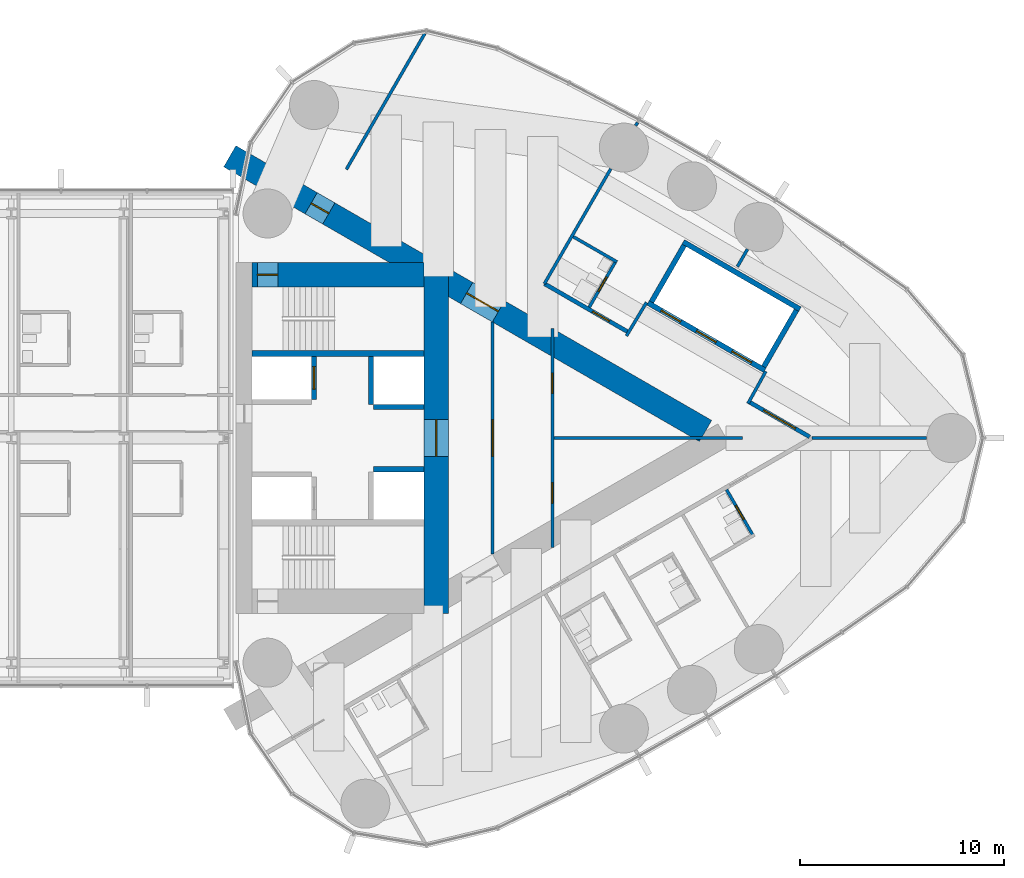
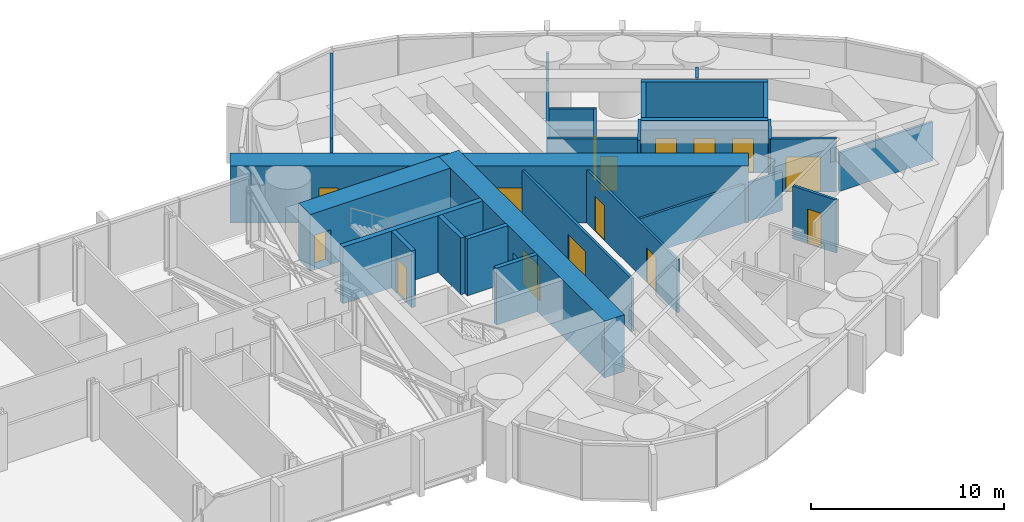
# One storey, part 20 of 23: 27 walls, 15 doors, 15 openings.
"""IFC4 building model written with IfcOpenShell, lengths in metres."""

import ifcopenshell
import ifcopenshell.guid

model = None  # the IFC model being written
_history = None  # IfcOwnerHistory: only IFC2X3 demands one
_inside = {}  # id of a spatial element -> (the spatial element, [elements in it])
_under = {}  # id of a project, library or spatial element -> (it, [spatial elements below it])
_declared = {}  # id of a project -> (the project, [libraries it declares])
_typed = {}  # id of a type object -> (the type object, [elements of that type])
_made_of = {}  # id of a material, layer set ... -> (it, [elements and type objects made of it])


def new_model(schema):
    """Start an empty IFC model of exactly this schema.

    Asked for "IFC4X3", IfcOpenShell would pick the latest addendum, in which some entities
    have other attributes; the version numbers below select the first issue.
    IFC2X3 requires an IfcOwnerHistory on every rooted entity: one is made here for all.
    """
    global model, _history
    if schema == "IFC4X3":
        model = ifcopenshell.file(schema_version=(4, 3, 0, 0))
    else:
        model = ifcopenshell.file(schema=schema)
    _inside.clear()
    _under.clear()
    _declared.clear()
    _typed.clear()
    _made_of.clear()
    _history = None
    if model.schema == "IFC2X3":
        org = make("IfcOrganization", Name="unknown")
        user = make(
            "IfcPersonAndOrganization",
            ThePerson=make("IfcPerson", FamilyName="unknown"),
            TheOrganization=org,
        )
        app = make(
            "IfcApplication",
            ApplicationDeveloper=org,
            Version="unknown",
            ApplicationFullName="unknown",
            ApplicationIdentifier="unknown",
        )
        _history = make(
            "IfcOwnerHistory",
            OwningUser=user,
            OwningApplication=app,
            ChangeAction="ADDED",
            CreationDate=0,
        )
    return model


def make(cls, **values):
    """One entity of the class cls with the attributes given. An attribute that is None is left unset."""
    return model.create_entity(
        cls, **{name: value for name, value in values.items() if value is not None}
    )


def rooted(cls, **values):
    """An entity with a GlobalId (a new one), such as an element, a storey or a relation."""
    return make(cls, GlobalId=ifcopenshell.guid.new(), OwnerHistory=_history, **values)


def si_unit(unit_type, name, prefix=None):
    """IfcSIUnit, for example si_unit("LENGTHUNIT", "METRE", prefix="MILLI")."""
    return make("IfcSIUnit", UnitType=unit_type, Prefix=prefix, Name=name)


def assignment(units):
    """IfcUnitAssignment: the units of a project."""
    return None if units is None else make("IfcUnitAssignment", Units=units)


def point(xyz):
    """IfcCartesianPoint."""
    return None if xyz is None else make("IfcCartesianPoint", Coordinates=xyz)


def direction(xyz):
    """IfcDirection."""
    return None if xyz is None else make("IfcDirection", DirectionRatios=xyz)


def frame(location, z_axis=None, x_axis=None):
    """IfcAxis2Placement3D, a coordinate frame: its origin and axes. An axis left out is left unset."""
    return make(
        "IfcAxis2Placement3D",
        Location=point(location),
        Axis=direction(z_axis),
        RefDirection=direction(x_axis),
    )


def frame_2d(location, x_axis=None):
    """IfcAxis2Placement2D, a coordinate frame in the plane: its origin and x axis."""
    return make(
        "IfcAxis2Placement2D", Location=point(location), RefDirection=direction(x_axis)
    )


def origin():
    """The frame at (0, 0, 0) with its axes left unset."""
    return frame((0.0, 0.0, 0.0))


def place(relative_to, where):
    """IfcLocalPlacement: puts the frame where relative to a parent placement (None: the world)."""
    return make(
        "IfcLocalPlacement", PlacementRelTo=relative_to, RelativePlacement=where
    )


def context(
    kind, dimensions, precision=None, world=None, true_north=None, identifier=None
):
    """IfcGeometricRepresentationContext, for example the 3D "Model" context."""
    return make(
        "IfcGeometricRepresentationContext",
        ContextIdentifier=identifier,
        ContextType=kind,
        CoordinateSpaceDimension=dimensions,
        Precision=precision,
        WorldCoordinateSystem=world,
        TrueNorth=true_north,
    )


def subcontext(parent, identifier, kind, view, scale=None):
    """IfcGeometricRepresentationSubContext, for example "Body" below "Model"."""
    return make(
        "IfcGeometricRepresentationSubContext",
        ContextIdentifier=identifier,
        ContextType=kind,
        ParentContext=parent,
        TargetScale=scale,
        TargetView=view,
    )


def project(units=None, contexts=None):
    """IfcProject with its units and contexts."""
    return rooted(
        "IfcProject",
        Name="project",
        RepresentationContexts=contexts,
        UnitsInContext=assignment(units),
    )


def spatial(cls, under=None, at=None, **own):
    """A site, building, storey or space (cls), placed at a placement, below another one or the project."""
    s = rooted(cls, ObjectPlacement=at, **own)
    if under is not None:
        _under.setdefault(under.id(), (under, []))[1].append(s)
    return s


def profile(cls, at=None, kind="AREA", **sizes):
    """A parametric profile (cls). Its sizes go by their IFC names, for example OverallWidth=200.0."""
    return make(cls, ProfileType=kind, Position=at, **sizes)


def rectangle(**sizes):
    """IfcRectangleProfileDef."""
    return profile("IfcRectangleProfileDef", **sizes)


def extrude(swept, where, along, depth):
    """IfcExtrudedAreaSolid: the profile swept, set in the frame where, extruded along a direction by depth."""
    return make(
        "IfcExtrudedAreaSolid",
        SweptArea=swept,
        Position=where,
        ExtrudedDirection=direction(along),
        Depth=depth,
    )


def shape(context_of_items, identifier, shape_type, items):
    """IfcShapeRepresentation: the items that make up one representation, for example the "Body"."""
    return make(
        "IfcShapeRepresentation",
        ContextOfItems=context_of_items,
        RepresentationIdentifier=identifier,
        RepresentationType=shape_type,
        Items=items,
    )


def material(Name=None, Category=None):
    """IfcMaterial."""
    return make("IfcMaterial", Name=Name, Category=Category)


def layer(
    of_material, thickness, ventilated=None, Name=None, Category=None, Priority=None
):
    """IfcMaterialLayer: one layer of a wall or slab, of a material (None: an air gap)."""
    return make(
        "IfcMaterialLayer",
        Material=of_material,
        LayerThickness=thickness,
        IsVentilated=ventilated,
        Name=Name,
        Category=Category,
        Priority=Priority,
    )


def layer_set(layers, Name=None):
    """IfcMaterialLayerSet."""
    return make("IfcMaterialLayerSet", MaterialLayers=layers, LayerSetName=Name)


def made_of(thing, what):
    """Note that an element or type object is made of a material, layer set ...; save() writes the relation."""
    if what is not None:
        _made_of.setdefault(what.id(), (what, []))[1].append(thing)
    return thing


def type_object(cls, material=None, **own):
    """A type object (cls), such as IfcWallType, which elements share."""
    return made_of(rooted(cls, **own), material)


def element(
    cls,
    number,
    at=None,
    inside=None,
    cuts=None,
    type_object=None,
    material=None,
    context=None,
    identifier="Body",
    shape_type=None,
    held_by="IfcProductDefinitionShape",
    body=None,
    shapes=None,
    **own,
):
    """One element of the class cls, such as IfcWall. Its Tag is "e" and its number.

    at: its placement. inside: the storey or other place that contains it. cuts: it is an
    opening in that element (IfcRelVoidsElement). A single representation is given by context,
    identifier, shape_type and body (its items); several are given by shapes. held_by: the class
    of the entity that holds the representations. save() writes the other relations.
    """
    e = rooted(cls, Tag="e%d" % number, ObjectPlacement=at, **own)
    if body is not None:
        shapes = [shape(context, identifier, shape_type, body)]
    if shapes is not None:
        e.Representation = make(held_by, Representations=shapes)
    if inside is not None:
        _inside.setdefault(inside.id(), (inside, []))[1].append(e)
    if cuts is not None:
        rooted(
            "IfcRelVoidsElement", RelatingBuildingElement=cuts, RelatedOpeningElement=e
        )
    if type_object is not None:
        _typed.setdefault(type_object.id(), (type_object, []))[1].append(e)
    return made_of(e, material)


def fill(opening, filler):
    """IfcRelFillsElement: the door or window that sits in an opening."""
    return rooted(
        "IfcRelFillsElement",
        RelatingOpeningElement=opening,
        RelatedBuildingElement=filler,
    )


def aggregate(whole, parts):
    """IfcRelAggregates: a whole, such as a stair, and the parts it consists of."""
    return rooted("IfcRelAggregates", RelatingObject=whole, RelatedObjects=parts)


def save(model, path):
    """Write the relations noted so far, then the file.

    IfcRelAggregates (storeys below a building ...), IfcRelContainedInSpatialStructure (elements
    in a storey), IfcRelDefinesByType, IfcRelAssociatesMaterial and IfcRelDeclares: one each for
    every whole, place, type object, material and project.
    """
    for whole, parts in _under.values():
        aggregate(whole, parts)
    for where, things in _inside.values():
        rooted(
            "IfcRelContainedInSpatialStructure",
            RelatedElements=things,
            RelatingStructure=where,
        )
    for kind, things in _typed.values():
        rooted("IfcRelDefinesByType", RelatedObjects=things, RelatingType=kind)
    for what, things in _made_of.values():
        rooted("IfcRelAssociatesMaterial", RelatedObjects=things, RelatingMaterial=what)
    for by, libraries in _declared.values():
        rooted("IfcRelDeclares", RelatingContext=by, RelatedDefinitions=libraries)
    model.write(path)


model = new_model("IFC4")

# Units and contexts
model_context = context("Model", 3, precision=1e-05, world=origin(), true_north=direction((0.0, 1.0)))
body_context = subcontext(model_context, "Body", "Model", "MODEL_VIEW")
ifc_project = project(units=[si_unit("LENGTHUNIT", "METRE"), si_unit("AREAUNIT", "SQUARE_METRE"), si_unit("VOLUMEUNIT", "CUBIC_METRE"), si_unit("PLANEANGLEUNIT", "RADIAN"), si_unit("MASSUNIT", "GRAM", prefix="KILO")], contexts=[model_context])

# Site, building, storey
site_placement = place(None, origin())
site = spatial("IfcSite", under=ifc_project, at=site_placement, CompositionType="ELEMENT")
building_placement = place(site_placement, origin())
building = spatial("IfcBuilding", under=site, at=building_placement, Name="Lancet Gate Hotel", CompositionType="ELEMENT")
storey_placement = place(building_placement, frame((0.0, 0.0, 240.5)))
storey = spatial("IfcBuildingStorey", under=building, at=storey_placement, Name="L64", CompositionType="ELEMENT", Elevation=240.5)

# Wall, opening, door
ifc_material_1 = material(Name="Moisture resistant board partition")
ifc_layer_1 = layer(ifc_material_1, 0.14990234375)
ifc_layer_set_1 = layer_set([ifc_layer_1], Name="Bathroom wall 150")
wall_type_1 = type_object("IfcWallType", Name="Bathroom wall 150", PredefinedType="PARTITIONING", material=ifc_layer_set_1)
wall_1_placement = place(storey_placement, frame((51.528564453125, -2.525146484375, 0.0), z_axis=(0.0, 0.0, 1.0), x_axis=(0.500006934395, -0.866021400173, 0.0)))
wall_1 = element("IfcWall", 1, at=wall_1_placement, inside=storey, type_object=wall_type_1, Name="T2 bathroom wall 150 L64", PredefinedType="PARTITIONING", context=body_context, shape_type="SweptSolid", body=[
    extrude(rectangle(XDim=2.60009765625, YDim=0.14990234375, at=frame_2d((1.300048828125, 0.0))), origin(), (0.0, 0.0, 1.0), 3.35009765625),
])
opening_1_placement = place(wall_1_placement, frame((0.89990234375, 0.0, 0.0)))
opening_1 = element("IfcOpeningElement", 2, at=opening_1_placement, cuts=wall_1, Name="Opening 6455-B", PredefinedType="OPENING", context=body_context, shape_type="SweptSolid", body=[
    extrude(rectangle(XDim=0.800048828125, YDim=2.199951171875, at=frame_2d((0.39990234375, 1.10009765625))), frame((0.0, 0.0849609375, 0.0), z_axis=(0.0, -1.0, 0.0), x_axis=(1.0, 0.0, 0.0)), (0.0, 0.0, 1.0), 0.169921875),
])
ifc_material_2 = material(Name="Timber door set", Category="wood")
door_type_1 = type_object("IfcDoorType", Name="Bathroom door 800", OperationType="SINGLE_SWING_RIGHT", PredefinedType="DOOR", material=ifc_material_2)
door_1_placement = place(opening_1_placement, origin())
door_1 = element("IfcDoor", 3, at=door_1_placement, inside=storey, type_object=door_type_1, Name="6455-B", OperationType="SINGLE_SWING_RIGHT", OverallHeight=2.199951171875, OverallWidth=0.800048828125, PredefinedType="DOOR", context=body_context, shape_type="SweptSolid", body=[
    extrude(rectangle(XDim=0.800048828125, YDim=2.199951171875, at=frame_2d((0.39990234375, 1.10009765625))), frame((0.0, 0.02490234375, 0.0), z_axis=(0.0, -1.0, 0.0), x_axis=(1.0, 0.0, 0.0)), (0.0, 0.0, 1.0), 0.050048828125),
])
fill(opening_1, door_1)

# Wall
wall_2_placement = place(storey_placement, frame((44.024658203125, 9.85986328125, 0.0), z_axis=(0.0, 0.0, 1.0), x_axis=(0.866006523861, -0.500032699561, 0.0)))
element("IfcWall", 4, at=wall_2_placement, inside=storey, type_object=wall_type_1, Name="T2 bathroom wall 150 L64", PredefinedType="PARTITIONING", context=body_context, shape_type="SweptSolid", body=[
    extrude(rectangle(XDim=2.474853515625, YDim=0.14990234375, at=frame_2d((1.2373046875, 0.0))), origin(), (0.0, 0.0, 1.0), 3.35009765625),
])

# Wall, opening, door
wall_3_placement = place(storey_placement, frame((44.802978515625, 6.408203125, 0.0), z_axis=(0.0, 0.0, 1.0), x_axis=(0.500047596559, 0.865997922154, 0.0)))
wall_3 = element("IfcWall", 5, at=wall_3_placement, inside=storey, type_object=wall_type_1, Name="T2 bathroom wall 150 L64", PredefinedType="PARTITIONING", context=body_context, shape_type="SweptSolid", body=[
    extrude(rectangle(XDim=2.599853515625, YDim=0.14990234375, at=frame_2d((1.2998046875, 0.0))), origin(), (0.0, 0.0, 1.0), 3.35009765625),
])
opening_2_placement = place(wall_3_placement, frame((0.89990234375, 0.0, 0.0)))
opening_2 = element("IfcOpeningElement", 6, at=opening_2_placement, cuts=wall_3, Name="Opening 6458-B", PredefinedType="OPENING", context=body_context, shape_type="SweptSolid", body=[
    extrude(rectangle(XDim=0.800048828125, YDim=2.199951171875, at=frame_2d((0.39990234375, 1.10009765625))), frame((0.0, 0.0849609375, 0.0), z_axis=(0.0, -1.0, 0.0), x_axis=(1.0, 0.0, 0.0)), (0.0, 0.0, 1.0), 0.169921875),
])
door_2_placement = place(opening_2_placement, origin())
door_2 = element("IfcDoor", 7, at=door_2_placement, inside=storey, type_object=door_type_1, Name="6458-B", OperationType="SINGLE_SWING_RIGHT", OverallHeight=2.199951171875, OverallWidth=0.800048828125, PredefinedType="DOOR", context=body_context, shape_type="SweptSolid", body=[
    extrude(rectangle(XDim=0.800048828125, YDim=2.199951171875, at=frame_2d((0.39990234375, 1.10009765625))), frame((0.0, 0.02490234375, 0.0), z_axis=(0.0, -1.0, 0.0), x_axis=(1.0, 0.0, 0.0)), (0.0, 0.0, 1.0), 0.050048828125),
])
fill(opening_2, door_2)

# Wall, openings, doors
ifc_material_3 = material(Name="Concrete C70/85", Category="concrete")
ifc_layer_2 = layer(ifc_material_3, 1.199951171875)
ifc_layer_set_2 = layer_set([ifc_layer_2], Name="Buttress wall 1200")
wall_type_2 = type_object("IfcWallType", Name="Buttress wall 1200", PredefinedType="SHEAR", material=ifc_layer_set_2)
wall_4_placement = place(storey_placement, frame((27.199951171875, 13.800048828125, 0.0), z_axis=(0.0, 0.0, 1.0), x_axis=(0.866024515034, -0.500001539357, 0.0)))
wall_4 = element("IfcWall", 8, at=wall_4_placement, inside=storey, type_object=wall_type_2, Name="T2 buttress wall N L64", PredefinedType="SHEAR", context=body_context, shape_type="SweptSolid", body=[
    extrude(rectangle(XDim=26.9072265625, YDim=1.199951171875, at=frame_2d((13.45361328125, 0.0))), origin(), (0.0, 0.0, 1.0), 3.60009765625),
])
opening_3_placement = place(wall_4_placement, frame((4.60009765625, 0.0, 0.0)))
opening_3 = element("IfcOpeningElement", 9, at=opening_3_placement, cuts=wall_4, Name="Opening T2-L64-LN", PredefinedType="OPENING", context=body_context, shape_type="SweptSolid", body=[
    extrude(rectangle(XDim=1.0, YDim=2.199951171875, at=frame_2d((0.5, 1.10009765625))), frame((0.0, 0.60986328125, 0.0), z_axis=(0.0, -1.0, 0.0), x_axis=(1.0, 0.0, 0.0)), (0.0, 0.0, 1.0), 1.219970703125),
])
opening_4_placement = place(wall_4_placement, frame((13.39453125, 0.0, 0.0)))
opening_4 = element("IfcOpeningElement", 10, at=opening_4_placement, cuts=wall_4, Name="Opening T2-L64-LHN", PredefinedType="OPENING", context=body_context, shape_type="SweptSolid", body=[
    extrude(rectangle(XDim=1.800048828125, YDim=2.199951171875, at=frame_2d((0.89990234375, 1.10009765625))), frame((0.0, 0.60986328125, 0.0), z_axis=(0.0, -1.0, 0.0), x_axis=(1.0, 0.0, 0.0)), (0.0, 0.0, 1.0), 1.219970703125),
])
ifc_material_4 = material(Name="Timber door set", Category="wood")
door_type_2 = type_object("IfcDoorType", Name="Lobby double door 1800", OperationType="DOUBLE_DOOR_SINGLE_SWING", PredefinedType="DOOR", material=ifc_material_4)
door_3_placement = place(opening_4_placement, origin())
door_3 = element("IfcDoor", 11, at=door_3_placement, inside=storey, type_object=door_type_2, Name="T2-L64-LHN", OperationType="DOUBLE_DOOR_SINGLE_SWING", OverallHeight=2.199951171875, OverallWidth=1.800048828125, PredefinedType="DOOR", context=body_context, shape_type="SweptSolid", body=[
    extrude(rectangle(XDim=1.800048828125, YDim=2.199951171875, at=frame_2d((0.89990234375, 1.10009765625))), frame((0.0, 0.02490234375, 0.0), z_axis=(0.0, -1.0, 0.0), x_axis=(1.0, 0.0, 0.0)), (0.0, 0.0, 1.0), 0.050048828125),
])
fill(opening_4, door_3)
ifc_material_5 = material(Name="Timber door set", Category="wood")
door_type_3 = type_object("IfcDoorType", Name="Stair lobby door 1000", OperationType="SINGLE_SWING_LEFT", PredefinedType="DOOR", material=ifc_material_5)
door_4_placement = place(opening_3_placement, origin())
door_4 = element("IfcDoor", 12, at=door_4_placement, inside=storey, type_object=door_type_3, Name="T2-L64-LN", OperationType="SINGLE_SWING_LEFT", OverallHeight=2.199951171875, OverallWidth=1.0, PredefinedType="DOOR", context=body_context, shape_type="SweptSolid", body=[
    extrude(rectangle(XDim=1.0, YDim=2.199951171875, at=frame_2d((0.5, 1.10009765625))), frame((0.0, 0.02490234375, 0.0), z_axis=(0.0, -1.0, 0.0), x_axis=(1.0, 0.0, 0.0)), (0.0, 0.0, 1.0), 0.050048828125),
])
fill(opening_3, door_4)

# Wall, opening, door
ifc_material_6 = material(Name="Concrete C70/85", Category="concrete")
ifc_layer_3 = layer(ifc_material_6, 1.199951171875)
ifc_layer_set_3 = layer_set([ifc_layer_3], Name="Core wall 1200")
wall_type_3 = type_object("IfcWallType", Name="Core wall 1200", PredefinedType="SHEAR", material=ifc_layer_set_3)
wall_5_placement = place(storey_placement, frame((37.300048828125, -8.60009765625, 0.0), z_axis=(0.0, 0.0, 1.0), x_axis=(0.0, 1.0, 0.0)))
wall_5 = element("IfcWall", 13, at=wall_5_placement, inside=storey, type_object=wall_type_3, Name="T2 core wall back L64", PredefinedType="SHEAR", context=body_context, shape_type="SweptSolid", body=[
    extrude(rectangle(XDim=17.2001953125, YDim=1.199951171875, at=frame_2d((8.60009765625, 0.0))), origin(), (0.0, 0.0, 1.0), 3.60009765625),
])
opening_5_placement = place(wall_5_placement, frame((7.699951171875, 0.0, 0.0)))
opening_5 = element("IfcOpeningElement", 14, at=opening_5_placement, cuts=wall_5, Name="Opening T2-L64-LL", PredefinedType="OPENING", context=body_context, shape_type="SweptSolid", body=[
    extrude(rectangle(XDim=1.800048828125, YDim=2.199951171875, at=frame_2d((0.89990234375, 1.10009765625))), frame((0.0, 0.60986328125, 0.0), z_axis=(0.0, -1.0, 0.0), x_axis=(1.0, 0.0, 0.0)), (0.0, 0.0, 1.0), 1.219970703125),
])
door_5_placement = place(opening_5_placement, origin())
door_5 = element("IfcDoor", 15, at=door_5_placement, inside=storey, type_object=door_type_2, Name="T2-L64-LL", OperationType="DOUBLE_DOOR_SINGLE_SWING", OverallHeight=2.199951171875, OverallWidth=1.800048828125, PredefinedType="DOOR", context=body_context, shape_type="SweptSolid", body=[
    extrude(rectangle(XDim=1.800048828125, YDim=2.199951171875, at=frame_2d((0.89990234375, 1.10009765625))), frame((0.0, 0.02490234375, 0.0), z_axis=(0.0, -1.0, 0.0), x_axis=(1.0, 0.0, 0.0)), (0.0, 0.0, 1.0), 0.050048828125),
])
fill(opening_5, door_5)

wall_6_placement = place(storey_placement, frame((28.300048828125, 8.0, 0.0), z_axis=(0.0, 0.0, 1.0), x_axis=(1.0, 0.0, 0.0)))
wall_6 = element("IfcWall", 16, at=wall_6_placement, inside=storey, type_object=wall_type_3, Name="T2 core wall side-N L64", PredefinedType="SHEAR", context=body_context, shape_type="SweptSolid", body=[
    extrude(rectangle(XDim=8.39990234375, YDim=1.199951171875, at=frame_2d((4.199951171875, 0.0))), origin(), (0.0, 0.0, 1.0), 3.60009765625),
])
opening_6_placement = place(wall_6_placement, frame((0.25, 0.0, 0.0)))
opening_6 = element("IfcOpeningElement", 17, at=opening_6_placement, cuts=wall_6, Name="Opening T2-L64-ST2", PredefinedType="OPENING", context=body_context, shape_type="SweptSolid", body=[
    extrude(rectangle(XDim=1.0, YDim=2.199951171875, at=frame_2d((0.5, 1.10009765625))), frame((0.0, 0.60986328125, 0.0), z_axis=(0.0, -1.0, 0.0), x_axis=(1.0, 0.0, 0.0)), (0.0, 0.0, 1.0), 1.219970703125),
])
ifc_material_7 = material(Name="Timber door set", Category="wood")
door_type_4 = type_object("IfcDoorType", Name="Stair door 1000", OperationType="SINGLE_SWING_RIGHT", PredefinedType="DOOR", material=ifc_material_7)
door_6_placement = place(opening_6_placement, origin())
door_6 = element("IfcDoor", 18, at=door_6_placement, inside=storey, type_object=door_type_4, Name="T2-L64-ST2", OperationType="SINGLE_SWING_RIGHT", OverallHeight=2.199951171875, OverallWidth=1.0, PredefinedType="DOOR", context=body_context, shape_type="SweptSolid", body=[
    extrude(rectangle(XDim=1.0, YDim=2.199951171875, at=frame_2d((0.5, 1.10009765625))), frame((0.0, 0.02490234375, 0.0), z_axis=(0.0, -1.0, 0.0), x_axis=(1.0, 0.0, 0.0)), (0.0, 0.0, 1.0), 0.050048828125),
])
fill(opening_6, door_6)

ifc_material_8 = material(Name="Gypsum board partition")
ifc_layer_4 = layer(ifc_material_8, 0.199951171875)
ifc_layer_set_4 = layer_set([ifc_layer_4], Name="Corridor wall 200")
wall_type_4 = type_object("IfcWallType", Name="Corridor wall 200", PredefinedType="PARTITIONING", material=ifc_layer_set_4)
wall_7_placement = place(storey_placement, frame((52.63916015625, 1.7685546875, 0.0), z_axis=(0.0, 0.0, 1.0), x_axis=(0.866027340901, -0.4999966448, 0.0)))
wall_7 = element("IfcWall", 19, at=wall_7_placement, inside=storey, type_object=wall_type_4, Name="T2 corridor wall 200 L64", PredefinedType="PARTITIONING", context=body_context, shape_type="SweptSolid", body=[
    extrude(rectangle(XDim=3.4169921875, YDim=0.199951171875, at=frame_2d((1.70849609375, 0.0))), origin(), (0.0, 0.0, 1.0), 3.35009765625),
])
opening_7_placement = place(wall_7_placement, frame((0.80859375, 0.0, 0.0)))
opening_7 = element("IfcOpeningElement", 20, at=opening_7_placement, cuts=wall_7, Name="Opening T2-L64-LO1", PredefinedType="OPENING", context=body_context, shape_type="SweptSolid", body=[
    extrude(rectangle(XDim=1.800048828125, YDim=2.199951171875, at=frame_2d((0.89990234375, 1.10009765625))), frame((0.0, 0.10986328125, 0.0), z_axis=(0.0, -1.0, 0.0), x_axis=(1.0, 0.0, 0.0)), (0.0, 0.0, 1.0), 0.219970703125),
])
ifc_material_9 = material(Name="Timber door set", Category="wood")
door_type_5 = type_object("IfcDoorType", Name="Double door 1800", OperationType="DOUBLE_DOOR_SINGLE_SWING", PredefinedType="DOOR", material=ifc_material_9)
door_7_placement = place(opening_7_placement, origin())
door_7 = element("IfcDoor", 21, at=door_7_placement, inside=storey, type_object=door_type_5, Name="T2-L64-LO1", OperationType="DOUBLE_DOOR_SINGLE_SWING", OverallHeight=2.199951171875, OverallWidth=1.800048828125, PredefinedType="DOOR", context=body_context, shape_type="SweptSolid", body=[
    extrude(rectangle(XDim=1.800048828125, YDim=2.199951171875, at=frame_2d((0.89990234375, 1.10009765625))), frame((0.0, 0.02490234375, 0.0), z_axis=(0.0, -1.0, 0.0), x_axis=(1.0, 0.0, 0.0)), (0.0, 0.0, 1.0), 0.050048828125),
])
fill(opening_7, door_7)

wall_8_placement = place(storey_placement, frame((42.609619140625, 7.55908203125, 0.0), z_axis=(0.0, 0.0, 1.0), x_axis=(0.866032081755, -0.499988433238, 0.0)))
wall_8 = element("IfcWall", 22, at=wall_8_placement, inside=storey, type_object=wall_type_4, Name="T2 corridor wall 200 L64", PredefinedType="PARTITIONING", context=body_context, shape_type="SweptSolid", body=[
    extrude(rectangle(XDim=4.74072265625, YDim=0.199951171875, at=frame_2d((2.370361328125, 0.0))), origin(), (0.0, 0.0, 1.0), 3.35009765625),
])
opening_8_placement = place(wall_8_placement, frame((2.72509765625, 0.0, 0.0)))
opening_8 = element("IfcOpeningElement", 23, at=opening_8_placement, cuts=wall_8, Name="Opening 6458-E", PredefinedType="OPENING", context=body_context, shape_type="SweptSolid", body=[
    extrude(rectangle(XDim=0.949951171875, YDim=2.199951171875, at=frame_2d((0.47509765625, 1.10009765625))), frame((0.0, 0.10986328125, 0.0), z_axis=(0.0, -1.0, 0.0), x_axis=(1.0, 0.0, 0.0)), (0.0, 0.0, 1.0), 0.219970703125),
])
ifc_material_10 = material(Name="Timber door set", Category="wood")
door_type_6 = type_object("IfcDoorType", Name="Guest room entry door 950", OperationType="SINGLE_SWING_LEFT", PredefinedType="DOOR", material=ifc_material_10)
door_8_placement = place(opening_8_placement, origin())
door_8 = element("IfcDoor", 24, at=door_8_placement, inside=storey, type_object=door_type_6, Name="6458-E", OperationType="SINGLE_SWING_LEFT", OverallHeight=2.199951171875, OverallWidth=0.949951171875, PredefinedType="DOOR", context=body_context, shape_type="SweptSolid", body=[
    extrude(rectangle(XDim=0.949951171875, YDim=2.199951171875, at=frame_2d((0.47509765625, 1.10009765625))), frame((0.0, 0.02490234375, 0.0), z_axis=(0.0, -1.0, 0.0), x_axis=(1.0, 0.0, 0.0)), (0.0, 0.0, 1.0), 0.050048828125),
])
fill(opening_8, door_8)

# Wall, openings, doors
ifc_material_11 = material(Name="Gypsum board partition")
ifc_layer_5 = layer(ifc_material_11, 0.25)
ifc_layer_set_5 = layer_set([ifc_layer_5], Name="Lift shaft partition 250")
wall_type_5 = type_object("IfcWallType", Name="Lift shaft partition 250", PredefinedType="PARTITIONING", material=ifc_layer_set_5)
wall_9_placement = place(storey_placement, frame((47.681396484375, 6.622314453125, 0.0), z_axis=(0.0, 0.0, 1.0), x_axis=(0.86603344179, -0.499986077507, 0.0)))
wall_9 = element("IfcWall", 25, at=wall_9_placement, inside=storey, type_object=wall_type_5, Name="T2 lift shaft wall HL L64", PredefinedType="PARTITIONING", context=body_context, shape_type="SweptSolid", body=[
    extrude(rectangle(XDim=6.600341796875, YDim=0.25, at=frame_2d((3.30029296875, 0.0))), origin(), (0.0, 0.0, 1.0), 3.35009765625),
])
opening_9_placement = place(wall_9_placement, frame((0.75, 0.0, 0.0)))
opening_9 = element("IfcOpeningElement", 26, at=opening_9_placement, cuts=wall_9, Name="Opening T2-HL1-L64", PredefinedType="OPENING", context=body_context, shape_type="SweptSolid", body=[
    extrude(rectangle(XDim=1.10009765625, YDim=2.199951171875, at=frame_2d((0.550048828125, 1.10009765625))), frame((0.0, 0.135009765625, 0.0), z_axis=(0.0, -1.0, 0.0), x_axis=(1.0, 0.0, 0.0)), (0.0, 0.0, 1.0), 0.27001953125),
])
opening_10_placement = place(wall_9_placement, frame((2.75, 0.0, 0.0)))
opening_10 = element("IfcOpeningElement", 27, at=opening_10_placement, cuts=wall_9, Name="Opening T2-HL2-L64", PredefinedType="OPENING", context=body_context, shape_type="SweptSolid", body=[
    extrude(rectangle(XDim=1.10009765625, YDim=2.199951171875, at=frame_2d((0.550048828125, 1.10009765625))), frame((0.0, 0.135009765625, 0.0), z_axis=(0.0, -1.0, 0.0), x_axis=(1.0, 0.0, 0.0)), (0.0, 0.0, 1.0), 0.27001953125),
])
opening_11_placement = place(wall_9_placement, frame((4.75, 0.0, 0.0)))
opening_11 = element("IfcOpeningElement", 28, at=opening_11_placement, cuts=wall_9, Name="Opening T2-HL3-L64", PredefinedType="OPENING", context=body_context, shape_type="SweptSolid", body=[
    extrude(rectangle(XDim=1.10009765625, YDim=2.199951171875, at=frame_2d((0.550048828125, 1.10009765625))), frame((0.0, 0.135009765625, 0.0), z_axis=(0.0, -1.0, 0.0), x_axis=(1.0, 0.0, 0.0)), (0.0, 0.0, 1.0), 0.27001953125),
])
ifc_material_12 = material(Name="Steel door set", Category="steel")
door_type_7 = type_object("IfcDoorType", Name="Lift landing door 1100", OperationType="DOUBLE_DOOR_SLIDING", PredefinedType="USERDEFINED", material=ifc_material_12)
door_9_placement = place(opening_9_placement, origin())
door_9 = element("IfcDoor", 29, at=door_9_placement, inside=storey, type_object=door_type_7, Name="T2-HL1-L64", ObjectType="LIFT LANDING DOOR", OperationType="DOUBLE_DOOR_SLIDING", OverallHeight=2.199951171875, OverallWidth=1.10009765625, PredefinedType="USERDEFINED", context=body_context, shape_type="SweptSolid", body=[
    extrude(rectangle(XDim=1.10009765625, YDim=2.199951171875, at=frame_2d((0.550048828125, 1.10009765625))), frame((0.0, 0.02490234375, 0.0), z_axis=(0.0, -1.0, 0.0), x_axis=(1.0, 0.0, 0.0)), (0.0, 0.0, 1.0), 0.050048828125),
])
fill(opening_9, door_9)
door_10_placement = place(opening_10_placement, origin())
door_10 = element("IfcDoor", 30, at=door_10_placement, inside=storey, type_object=door_type_7, Name="T2-HL2-L64", ObjectType="LIFT LANDING DOOR", OperationType="DOUBLE_DOOR_SLIDING", OverallHeight=2.199951171875, OverallWidth=1.10009765625, PredefinedType="USERDEFINED", context=body_context, shape_type="SweptSolid", body=[
    extrude(rectangle(XDim=1.10009765625, YDim=2.199951171875, at=frame_2d((0.550048828125, 1.10009765625))), frame((0.0, 0.02490234375, 0.0), z_axis=(0.0, -1.0, 0.0), x_axis=(1.0, 0.0, 0.0)), (0.0, 0.0, 1.0), 0.050048828125),
])
fill(opening_10, door_10)
door_11_placement = place(opening_11_placement, origin())
door_11 = element("IfcDoor", 31, at=door_11_placement, inside=storey, type_object=door_type_7, Name="T2-HL3-L64", ObjectType="LIFT LANDING DOOR", OperationType="DOUBLE_DOOR_SLIDING", OverallHeight=2.199951171875, OverallWidth=1.10009765625, PredefinedType="USERDEFINED", context=body_context, shape_type="SweptSolid", body=[
    extrude(rectangle(XDim=1.10009765625, YDim=2.199951171875, at=frame_2d((0.550048828125, 1.10009765625))), frame((0.0, 0.02490234375, 0.0), z_axis=(0.0, -1.0, 0.0), x_axis=(1.0, 0.0, 0.0)), (0.0, 0.0, 1.0), 0.050048828125),
])
fill(opening_11, door_11)

# Walls
wall_10_placement = place(storey_placement, frame((49.406494140625, 9.61083984375, 0.0), z_axis=(0.0, 0.0, 1.0), x_axis=(0.86603344179, -0.499986077507, 0.0)))
element("IfcWall", 32, at=wall_10_placement, inside=storey, type_object=wall_type_5, Name="T2 lift shaft wall HL L64", PredefinedType="PARTITIONING", context=body_context, shape_type="SweptSolid", body=[
    extrude(rectangle(XDim=6.600341796875, YDim=0.25, at=frame_2d((3.30029296875, 0.0))), origin(), (0.0, 0.0, 1.0), 3.35009765625),
])
wall_11_placement = place(storey_placement, frame((47.852294921875, 6.66796875, 0.0), z_axis=(0.0, 0.0, 1.0), x_axis=(0.499929347863, 0.866066190972, 0.0)))
element("IfcWall", 33, at=wall_11_placement, inside=storey, type_object=wall_type_5, Name="T2 lift shaft wall HL L64", PredefinedType="PARTITIONING", context=body_context, shape_type="SweptSolid", body=[
    extrude(rectangle(XDim=3.20068359375, YDim=0.25, at=frame_2d((1.600341796875, 0.0))), origin(), (0.0, 0.0, 1.0), 3.35009765625),
])
wall_12_placement = place(storey_placement, frame((53.351806640625, 3.492919921875, 0.0), z_axis=(0.0, 0.0, 1.0), x_axis=(0.499872130319, 0.866099216793, 0.0)))
element("IfcWall", 34, at=wall_12_placement, inside=storey, type_object=wall_type_5, Name="T2 lift shaft wall HL L64", PredefinedType="PARTITIONING", context=body_context, shape_type="SweptSolid", body=[
    extrude(rectangle(XDim=3.200439453125, YDim=0.25, at=frame_2d((1.60009765625, 0.0))), origin(), (0.0, 0.0, 1.0), 3.35009765625),
])
ifc_material_13 = material(Name="Concrete C50/60", Category="concrete")
ifc_layer_6 = layer(ifc_material_13, 0.25)
ifc_layer_set_6 = layer_set([ifc_layer_6], Name="Lift shaft wall 250")
wall_type_6 = type_object("IfcWallType", Name="Lift shaft wall 250", PredefinedType="SHEAR", material=ifc_layer_set_6)
wall_13_placement = place(storey_placement, frame((34.25, -1.52490234375, 0.0), z_axis=(0.0, 0.0, 1.0), x_axis=(1.0, 0.0, 0.0)))
element("IfcWall", 35, at=wall_13_placement, inside=storey, type_object=wall_type_6, Name="T2 core wall pass2-S L64", PredefinedType="SHEAR", context=body_context, shape_type="SweptSolid", body=[
    extrude(rectangle(XDim=2.449951171875, YDim=0.25, at=frame_2d((1.22509765625, 0.0))), origin(), (0.0, 0.0, 1.0), 3.60009765625),
])

# Wall, opening, door
wall_14_placement = place(storey_placement, frame((31.324951171875, 1.89990234375, 0.0), z_axis=(0.0, 0.0, 1.0), x_axis=(0.0, 1.0, 0.0)))
wall_14 = element("IfcWall", 36, at=wall_14_placement, inside=storey, type_object=wall_type_6, Name="T2 core wall row1-N L64", PredefinedType="SHEAR", context=body_context, shape_type="SweptSolid", body=[
    extrude(rectangle(XDim=2.10009765625, YDim=0.25, at=frame_2d((1.050048828125, 0.0))), origin(), (0.0, 0.0, 1.0), 3.60009765625),
])
opening_12_placement = place(wall_14_placement, frame((0.5, 0.0, 0.0)))
opening_12 = element("IfcOpeningElement", 37, at=opening_12_placement, cuts=wall_14, Name="Opening T2-FL2-L64", PredefinedType="OPENING", context=body_context, shape_type="SweptSolid", body=[
    extrude(rectangle(XDim=1.10009765625, YDim=2.199951171875, at=frame_2d((0.550048828125, 1.10009765625))), frame((0.0, 0.135009765625, 0.0), z_axis=(0.0, -1.0, 0.0), x_axis=(1.0, 0.0, 0.0)), (0.0, 0.0, 1.0), 0.27001953125),
])
ifc_material_14 = material(Name="Steel door set", Category="steel")
door_type_8 = type_object("IfcDoorType", Name="Firefighting lift landing door 1100", OperationType="SLIDING_TO_LEFT", PredefinedType="USERDEFINED", material=ifc_material_14)
door_12_placement = place(opening_12_placement, origin())
door_12 = element("IfcDoor", 38, at=door_12_placement, inside=storey, type_object=door_type_8, Name="T2-FL2-L64", ObjectType="LIFT LANDING DOOR", OperationType="SLIDING_TO_LEFT", OverallHeight=2.199951171875, OverallWidth=1.10009765625, PredefinedType="USERDEFINED", context=body_context, shape_type="SweptSolid", body=[
    extrude(rectangle(XDim=1.10009765625, YDim=2.199951171875, at=frame_2d((0.550048828125, 1.10009765625))), frame((0.0, 0.02490234375, 0.0), z_axis=(0.0, -1.0, 0.0), x_axis=(1.0, 0.0, 0.0)), (0.0, 0.0, 1.0), 0.050048828125),
])
fill(opening_12, door_12)

# Walls
wall_15_placement = place(storey_placement, frame((34.125, 1.64990234375, 0.0), z_axis=(0.0, 0.0, 1.0), x_axis=(0.0, 1.0, 0.0)))
element("IfcWall", 39, at=wall_15_placement, inside=storey, type_object=wall_type_6, Name="T2 core wall row2-N L64", PredefinedType="SHEAR", context=body_context, shape_type="SweptSolid", body=[
    extrude(rectangle(XDim=2.35009765625, YDim=0.25, at=frame_2d((1.175048828125, 0.0))), origin(), (0.0, 0.0, 1.0), 3.60009765625),
])
wall_16_placement = place(storey_placement, frame((34.25, 1.52490234375, 0.0), z_axis=(0.0, 0.0, 1.0), x_axis=(1.0, 0.0, 0.0)))
element("IfcWall", 40, at=wall_16_placement, inside=storey, type_object=wall_type_6, Name="T2 core wall pass2-N L64", PredefinedType="SHEAR", context=body_context, shape_type="SweptSolid", body=[
    extrude(rectangle(XDim=2.449951171875, YDim=0.25, at=frame_2d((1.22509765625, 0.0))), origin(), (0.0, 0.0, 1.0), 3.60009765625),
])
ifc_material_15 = material(Name="Gypsum board partition")
ifc_layer_7 = layer(ifc_material_15, 0.14990234375)
ifc_layer_set_7 = layer_set([ifc_layer_7], Name="Party wall 150")
wall_type_7 = type_object("IfcWallType", Name="Party wall 150", PredefinedType="PARTITIONING", material=ifc_layer_set_7)
wall_17_placement = place(storey_placement, frame((32.909912109375, 13.1591796875, 0.0), z_axis=(0.0, 0.0, 1.0), x_axis=(0.500014963534, 0.866016764412, 0.0)))
element("IfcWall", 41, at=wall_17_placement, inside=storey, type_object=wall_type_7, Name="T2 party wall 150 L64", PredefinedType="PARTITIONING", context=body_context, shape_type="SweptSolid", body=[
    extrude(rectangle(XDim=7.682373046875, YDim=0.14990234375, at=frame_2d((3.84130859375, 0.0))), origin(), (0.0, 0.0, 1.0), 3.35009765625),
])
wall_18_placement = place(storey_placement, frame((42.609619140625, 7.55908203125, 0.0), z_axis=(0.0, 0.0, 1.0), x_axis=(0.500014058812, 0.866017286774, 0.0)))
element("IfcWall", 42, at=wall_18_placement, inside=storey, type_object=wall_type_7, Name="T2 party wall 150 L64", PredefinedType="PARTITIONING", context=body_context, shape_type="SweptSolid", body=[
    extrude(rectangle(XDim=6.498291015625, YDim=0.14990234375, at=frame_2d((3.2490234375, 0.0))), origin(), (0.0, 0.0, 1.0), 2.449951171875),
])
wall_19_placement = place(storey_placement, frame((47.078857421875, 15.2998046875, 0.0), z_axis=(0.0, 0.0, 1.0), x_axis=(0.499212083968, 0.866479829667, 0.0)))
element("IfcWall", 43, at=wall_19_placement, inside=storey, type_object=wall_type_7, Name="T2 party wall 150 L64", PredefinedType="PARTITIONING", context=body_context, shape_type="SweptSolid", body=[
    extrude(rectangle(XDim=0.179443359375, YDim=0.14990234375, at=frame_2d((0.08984375, 0.0))), origin(), (0.0, 0.0, 1.0), 2.449951171875),
])
wall_20_placement = place(storey_placement, frame((55.7021484375, 0.0, 0.0), z_axis=(0.0, 0.0, 1.0), x_axis=(1.0, 0.0, 0.0)))
element("IfcWall", 44, at=wall_20_placement, inside=storey, type_object=wall_type_7, Name="T2 party wall 150 L64", PredefinedType="PARTITIONING", context=body_context, shape_type="SweptSolid", body=[
    extrude(rectangle(XDim=5.619384765625, YDim=0.14990234375, at=frame_2d((2.8095703125, 0.0))), origin(), (0.0, 0.0, 1.0), 2.449951171875),
])
wall_21_placement = place(storey_placement, frame((52.060302734375, 8.396240234375, 0.0), z_axis=(0.0, 0.0, 1.0), x_axis=(0.500095379624, 0.865970329329, 0.0)))
element("IfcWall", 45, at=wall_21_placement, inside=storey, type_object=wall_type_7, Name="T2 party wall 150 L64", PredefinedType="PARTITIONING", context=body_context, shape_type="SweptSolid", body=[
    extrude(rectangle(XDim=0.982177734375, YDim=0.14990234375, at=frame_2d((0.4912109375, 0.0))), origin(), (0.0, 0.0, 1.0), 3.35009765625),
])
ifc_material_16 = material(Name="Gypsum board partition")
ifc_layer_8 = layer(ifc_material_16, 0.14990234375)
ifc_layer_set_8 = layer_set([ifc_layer_8], Name="Service room wall 150")
wall_type_8 = type_object("IfcWallType", Name="Service room wall 150", PredefinedType="PARTITIONING", material=ifc_layer_set_8)
wall_22_placement = place(storey_placement, frame((47.6064453125, 6.642333984375, 0.0), z_axis=(0.0, 0.0, 1.0), x_axis=(-0.51353662755, -0.858067673418, 0.0)))
element("IfcWall", 46, at=wall_22_placement, inside=storey, type_object=wall_type_8, Name="T2 service room wall 150 L64", PredefinedType="PARTITIONING", context=body_context, shape_type="SweptSolid", body=[
    extrude(rectangle(XDim=1.90966796875, YDim=0.14990234375, at=frame_2d((0.954833984375, 0.0))), origin(), (0.0, 0.0, 1.0), 3.35009765625),
])
wall_23_placement = place(storey_placement, frame((52.576171875, 1.689453125, 0.0), z_axis=(0.0, 0.0, 1.0), x_axis=(0.485424724123, 0.874278466629, 0.0)))
element("IfcWall", 47, at=wall_23_placement, inside=storey, type_object=wall_type_8, Name="T2 service room wall 150 L64", PredefinedType="PARTITIONING", context=body_context, shape_type="SweptSolid", body=[
    extrude(rectangle(XDim=1.80517578125, YDim=0.14990234375, at=frame_2d((0.902587890625, 0.0))), origin(), (0.0, 0.0, 1.0), 3.35009765625),
])

# Wall, opening, door
wall_24_placement = place(storey_placement, frame((40.074951171875, -5.673828125, 0.0), z_axis=(0.0, 0.0, 1.0), x_axis=(0.0, 1.0, 0.0)))
wall_24 = element("IfcWall", 48, at=wall_24_placement, inside=storey, type_object=wall_type_8, Name="T2 service room wall 150 L64", PredefinedType="PARTITIONING", context=body_context, shape_type="SweptSolid", body=[
    extrude(rectangle(XDim=11.34765625, YDim=0.14990234375, at=frame_2d((5.673828125, 0.0))), origin(), (0.0, 0.0, 1.0), 3.35009765625),
])
opening_13_placement = place(wall_24_placement, frame((4.773681640625, 0.0, 0.0)))
opening_13 = element("IfcOpeningElement", 49, at=opening_13_placement, cuts=wall_24, Name="Opening T2-L64-LH", PredefinedType="OPENING", context=body_context, shape_type="SweptSolid", body=[
    extrude(rectangle(XDim=1.800048828125, YDim=2.199951171875, at=frame_2d((0.89990234375, 1.10009765625))), frame((0.0, 0.0849609375, 0.0), z_axis=(0.0, -1.0, 0.0), x_axis=(1.0, 0.0, 0.0)), (0.0, 0.0, 1.0), 0.169921875),
])
door_13_placement = place(opening_13_placement, origin())
door_13 = element("IfcDoor", 50, at=door_13_placement, inside=storey, type_object=door_type_2, Name="T2-L64-LH", OperationType="DOUBLE_DOOR_SINGLE_SWING", OverallHeight=2.199951171875, OverallWidth=1.800048828125, PredefinedType="DOOR", context=body_context, shape_type="SweptSolid", body=[
    extrude(rectangle(XDim=1.800048828125, YDim=2.199951171875, at=frame_2d((0.89990234375, 1.10009765625))), frame((0.0, 0.02490234375, 0.0), z_axis=(0.0, -1.0, 0.0), x_axis=(1.0, 0.0, 0.0)), (0.0, 0.0, 1.0), 0.050048828125),
])
fill(opening_13, door_13)

# Wall, openings, doors
wall_25_placement = place(storey_placement, frame((43.0, -5.37060546875, 0.0), z_axis=(0.0, 0.0, 1.0), x_axis=(0.0, 1.0, 0.0)))
wall_25 = element("IfcWall", 51, at=wall_25_placement, inside=storey, type_object=wall_type_8, Name="T2 service room wall 150 L64", PredefinedType="PARTITIONING", context=body_context, shape_type="SweptSolid", body=[
    extrude(rectangle(XDim=10.7412109375, YDim=0.14990234375, at=frame_2d((5.37060546875, 0.0))), origin(), (0.0, 0.0, 1.0), 3.35009765625),
])
opening_14_placement = place(wall_25_placement, frame((2.185302734375, 0.0, 0.0)))
opening_14 = element("IfcOpeningElement", 52, at=opening_14_placement, cuts=wall_25, Name="Opening T2-L64-SV", PredefinedType="OPENING", context=body_context, shape_type="SweptSolid", body=[
    extrude(rectangle(XDim=1.0, YDim=2.199951171875, at=frame_2d((0.5, 1.10009765625))), frame((0.0, 0.0849609375, 0.0), z_axis=(0.0, -1.0, 0.0), x_axis=(1.0, 0.0, 0.0)), (0.0, 0.0, 1.0), 0.169921875),
])
opening_15_placement = place(wall_25_placement, frame((7.555908203125, 0.0, 0.0)))
opening_15 = element("IfcOpeningElement", 53, at=opening_15_placement, cuts=wall_25, Name="Opening T2-L64-SV2", PredefinedType="OPENING", context=body_context, shape_type="SweptSolid", body=[
    extrude(rectangle(XDim=1.0, YDim=2.199951171875, at=frame_2d((0.5, 1.10009765625))), frame((0.0, 0.0849609375, 0.0), z_axis=(0.0, -1.0, 0.0), x_axis=(1.0, 0.0, 0.0)), (0.0, 0.0, 1.0), 0.169921875),
])
ifc_material_17 = material(Name="Timber door set", Category="wood")
door_type_9 = type_object("IfcDoorType", Name="Service door 1000", OperationType="SINGLE_SWING_LEFT", PredefinedType="DOOR", material=ifc_material_17)
door_14_placement = place(opening_14_placement, origin())
door_14 = element("IfcDoor", 54, at=door_14_placement, inside=storey, type_object=door_type_9, Name="T2-L64-SV", OperationType="SINGLE_SWING_LEFT", OverallHeight=2.199951171875, OverallWidth=1.0, PredefinedType="DOOR", context=body_context, shape_type="SweptSolid", body=[
    extrude(rectangle(XDim=1.0, YDim=2.199951171875, at=frame_2d((0.5, 1.10009765625))), frame((0.0, 0.02490234375, 0.0), z_axis=(0.0, -1.0, 0.0), x_axis=(1.0, 0.0, 0.0)), (0.0, 0.0, 1.0), 0.050048828125),
])
fill(opening_14, door_14)
door_15_placement = place(opening_15_placement, origin())
door_15 = element("IfcDoor", 55, at=door_15_placement, inside=storey, type_object=door_type_9, Name="T2-L64-SV2", OperationType="SINGLE_SWING_LEFT", OverallHeight=2.199951171875, OverallWidth=1.0, PredefinedType="DOOR", context=body_context, shape_type="SweptSolid", body=[
    extrude(rectangle(XDim=1.0, YDim=2.199951171875, at=frame_2d((0.5, 1.10009765625))), frame((0.0, 0.02490234375, 0.0), z_axis=(0.0, -1.0, 0.0), x_axis=(1.0, 0.0, 0.0)), (0.0, 0.0, 1.0), 0.050048828125),
])
fill(opening_15, door_15)

# Walls
wall_26_placement = place(storey_placement, frame((43.074951171875, 0.0, 0.0), z_axis=(0.0, 0.0, 1.0), x_axis=(1.0, 0.0, 0.0)))
element("IfcWall", 56, at=wall_26_placement, inside=storey, type_object=wall_type_8, Name="T2 service room wall 150 L64", PredefinedType="PARTITIONING", context=body_context, shape_type="SweptSolid", body=[
    extrude(rectangle(XDim=9.227294921875, YDim=0.14990234375, at=frame_2d((4.61376953125, 0.0))), origin(), (0.0, 0.0, 1.0), 2.449951171875),
])
ifc_material_18 = material(Name="Concrete C50/60", Category="concrete")
ifc_layer_9 = layer(ifc_material_18, 0.300048828125)
ifc_layer_set_9 = layer_set([ifc_layer_9], Name="Stair enclosure wall 300")
wall_type_9 = type_object("IfcWallType", Name="Stair enclosure wall 300", PredefinedType="SHEAR", material=ifc_layer_set_9)
wall_27_placement = place(storey_placement, frame((28.300048828125, 4.14990234375, 0.0), z_axis=(0.0, 0.0, 1.0), x_axis=(1.0, 0.0, 0.0)))
element("IfcWall", 57, at=wall_27_placement, inside=storey, type_object=wall_type_9, Name="T2 core wall stair-N L64", PredefinedType="SHEAR", context=body_context, shape_type="SweptSolid", body=[
    extrude(rectangle(XDim=8.39990234375, YDim=0.300048828125, at=frame_2d((4.199951171875, 0.0))), origin(), (0.0, 0.0, 1.0), 3.60009765625),
])

save(model, "model.ifc")
